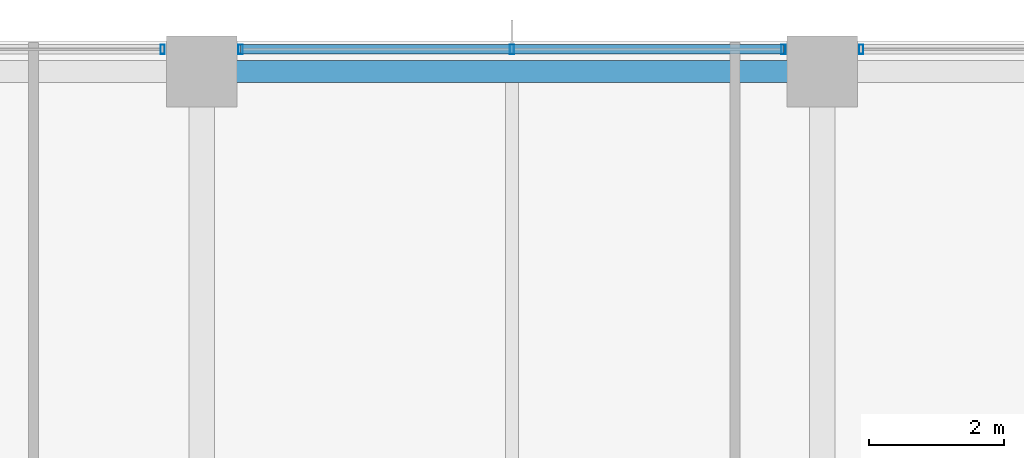
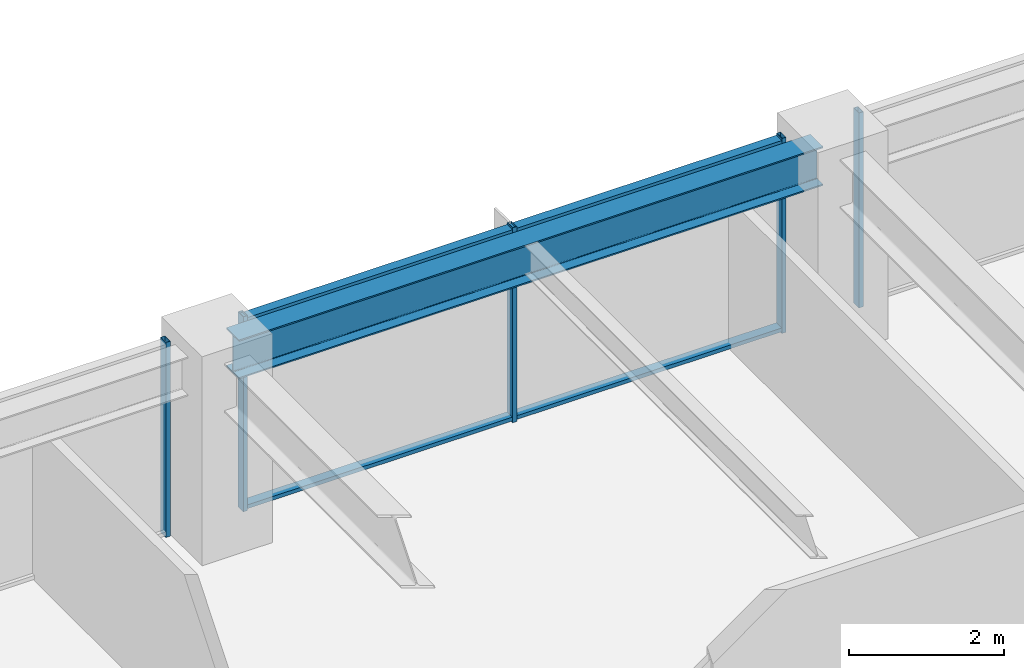
# One storey, part 20 of 38: 7 members, 1 beam, 3 elements without a shape of their own.
"""IFC4 building model written with IfcOpenShell, lengths in metres."""

import ifcopenshell
import ifcopenshell.guid

model = None  # the IFC model being written
_history = None  # IfcOwnerHistory: only IFC2X3 demands one
_inside = {}  # id of a spatial element -> (the spatial element, [elements in it])
_under = {}  # id of a project, library or spatial element -> (it, [spatial elements below it])
_declared = {}  # id of a project -> (the project, [libraries it declares])
_typed = {}  # id of a type object -> (the type object, [elements of that type])
_made_of = {}  # id of a material, layer set ... -> (it, [elements and type objects made of it])


def new_model(schema):
    """Start an empty IFC model of exactly this schema.

    Asked for "IFC4X3", IfcOpenShell would pick the latest addendum, in which some entities
    have other attributes; the version numbers below select the first issue.
    IFC2X3 requires an IfcOwnerHistory on every rooted entity: one is made here for all.
    """
    global model, _history
    if schema == "IFC4X3":
        model = ifcopenshell.file(schema_version=(4, 3, 0, 0))
    else:
        model = ifcopenshell.file(schema=schema)
    _inside.clear()
    _under.clear()
    _declared.clear()
    _typed.clear()
    _made_of.clear()
    _history = None
    if model.schema == "IFC2X3":
        org = make("IfcOrganization", Name="unknown")
        user = make(
            "IfcPersonAndOrganization",
            ThePerson=make("IfcPerson", FamilyName="unknown"),
            TheOrganization=org,
        )
        app = make(
            "IfcApplication",
            ApplicationDeveloper=org,
            Version="unknown",
            ApplicationFullName="unknown",
            ApplicationIdentifier="unknown",
        )
        _history = make(
            "IfcOwnerHistory",
            OwningUser=user,
            OwningApplication=app,
            ChangeAction="ADDED",
            CreationDate=0,
        )
    return model


def make(cls, **values):
    """One entity of the class cls with the attributes given. An attribute that is None is left unset."""
    return model.create_entity(
        cls, **{name: value for name, value in values.items() if value is not None}
    )


def rooted(cls, **values):
    """An entity with a GlobalId (a new one), such as an element, a storey or a relation."""
    return make(cls, GlobalId=ifcopenshell.guid.new(), OwnerHistory=_history, **values)


def si_unit(unit_type, name, prefix=None):
    """IfcSIUnit, for example si_unit("LENGTHUNIT", "METRE", prefix="MILLI")."""
    return make("IfcSIUnit", UnitType=unit_type, Prefix=prefix, Name=name)


def assignment(units):
    """IfcUnitAssignment: the units of a project."""
    return None if units is None else make("IfcUnitAssignment", Units=units)


def point(xyz):
    """IfcCartesianPoint."""
    return None if xyz is None else make("IfcCartesianPoint", Coordinates=xyz)


def direction(xyz):
    """IfcDirection."""
    return None if xyz is None else make("IfcDirection", DirectionRatios=xyz)


def frame(location, z_axis=None, x_axis=None):
    """IfcAxis2Placement3D, a coordinate frame: its origin and axes. An axis left out is left unset."""
    return make(
        "IfcAxis2Placement3D",
        Location=point(location),
        Axis=direction(z_axis),
        RefDirection=direction(x_axis),
    )


def frame_2d(location, x_axis=None):
    """IfcAxis2Placement2D, a coordinate frame in the plane: its origin and x axis."""
    return make(
        "IfcAxis2Placement2D", Location=point(location), RefDirection=direction(x_axis)
    )


def origin():
    """The frame at (0, 0, 0) with its axes left unset."""
    return frame((0.0, 0.0, 0.0))


def origin_2d():
    """The frame at (0, 0) in the plane with its x axis left unset."""
    return frame_2d((0.0, 0.0))


def place(relative_to, where):
    """IfcLocalPlacement: puts the frame where relative to a parent placement (None: the world)."""
    return make(
        "IfcLocalPlacement", PlacementRelTo=relative_to, RelativePlacement=where
    )


def context(
    kind, dimensions, precision=None, world=None, true_north=None, identifier=None
):
    """IfcGeometricRepresentationContext, for example the 3D "Model" context."""
    return make(
        "IfcGeometricRepresentationContext",
        ContextIdentifier=identifier,
        ContextType=kind,
        CoordinateSpaceDimension=dimensions,
        Precision=precision,
        WorldCoordinateSystem=world,
        TrueNorth=true_north,
    )


def subcontext(parent, identifier, kind, view, scale=None):
    """IfcGeometricRepresentationSubContext, for example "Body" below "Model"."""
    return make(
        "IfcGeometricRepresentationSubContext",
        ContextIdentifier=identifier,
        ContextType=kind,
        ParentContext=parent,
        TargetScale=scale,
        TargetView=view,
    )


def project(units=None, contexts=None):
    """IfcProject with its units and contexts."""
    return rooted(
        "IfcProject",
        Name="project",
        RepresentationContexts=contexts,
        UnitsInContext=assignment(units),
    )


def spatial(cls, under=None, at=None, **own):
    """A site, building, storey or space (cls), placed at a placement, below another one or the project."""
    s = rooted(cls, ObjectPlacement=at, **own)
    if under is not None:
        _under.setdefault(under.id(), (under, []))[1].append(s)
    return s


def profile(cls, at=None, kind="AREA", **sizes):
    """A parametric profile (cls). Its sizes go by their IFC names, for example OverallWidth=200.0."""
    return make(cls, ProfileType=kind, Position=at, **sizes)


def hollow_rectangle(**sizes):
    """IfcRectangleHollowProfileDef."""
    return profile("IfcRectangleHollowProfileDef", **sizes)


def i_section(**sizes):
    """IfcIShapeProfileDef."""
    return profile("IfcIShapeProfileDef", **sizes)


def extrude(swept, where, along, depth):
    """IfcExtrudedAreaSolid: the profile swept, set in the frame where, extruded along a direction by depth."""
    return make(
        "IfcExtrudedAreaSolid",
        SweptArea=swept,
        Position=where,
        ExtrudedDirection=direction(along),
        Depth=depth,
    )


def shape(context_of_items, identifier, shape_type, items):
    """IfcShapeRepresentation: the items that make up one representation, for example the "Body"."""
    return make(
        "IfcShapeRepresentation",
        ContextOfItems=context_of_items,
        RepresentationIdentifier=identifier,
        RepresentationType=shape_type,
        Items=items,
    )


def material(Name=None, Category=None):
    """IfcMaterial."""
    return make("IfcMaterial", Name=Name, Category=Category)


def material_profile(
    of_material, cross_section, Name=None, Category=None, Priority=None
):
    """IfcMaterialProfile: a cross section and its material."""
    return make(
        "IfcMaterialProfile",
        Name=Name,
        Material=of_material,
        Profile=cross_section,
        Priority=Priority,
        Category=Category,
    )


def profile_set(profiles, Name=None, composite=None):
    """IfcMaterialProfileSet."""
    return make(
        "IfcMaterialProfileSet",
        Name=Name,
        MaterialProfiles=profiles,
        CompositeProfile=composite,
    )


def made_of(thing, what):
    """Note that an element or type object is made of a material, layer set ...; save() writes the relation."""
    if what is not None:
        _made_of.setdefault(what.id(), (what, []))[1].append(thing)
    return thing


def type_object(cls, material=None, **own):
    """A type object (cls), such as IfcWallType, which elements share."""
    return made_of(rooted(cls, **own), material)


def element(
    cls,
    number,
    at=None,
    inside=None,
    cuts=None,
    type_object=None,
    material=None,
    context=None,
    identifier="Body",
    shape_type=None,
    held_by="IfcProductDefinitionShape",
    body=None,
    shapes=None,
    **own,
):
    """One element of the class cls, such as IfcWall. Its Tag is "e" and its number.

    at: its placement. inside: the storey or other place that contains it. cuts: it is an
    opening in that element (IfcRelVoidsElement). A single representation is given by context,
    identifier, shape_type and body (its items); several are given by shapes. held_by: the class
    of the entity that holds the representations. save() writes the other relations.
    """
    e = rooted(cls, Tag="e%d" % number, ObjectPlacement=at, **own)
    if body is not None:
        shapes = [shape(context, identifier, shape_type, body)]
    if shapes is not None:
        e.Representation = make(held_by, Representations=shapes)
    if inside is not None:
        _inside.setdefault(inside.id(), (inside, []))[1].append(e)
    if cuts is not None:
        rooted(
            "IfcRelVoidsElement", RelatingBuildingElement=cuts, RelatedOpeningElement=e
        )
    if type_object is not None:
        _typed.setdefault(type_object.id(), (type_object, []))[1].append(e)
    return made_of(e, material)


def aggregate(whole, parts):
    """IfcRelAggregates: a whole, such as a stair, and the parts it consists of."""
    return rooted("IfcRelAggregates", RelatingObject=whole, RelatedObjects=parts)


def save(model, path):
    """Write the relations noted so far, then the file.

    IfcRelAggregates (storeys below a building ...), IfcRelContainedInSpatialStructure (elements
    in a storey), IfcRelDefinesByType, IfcRelAssociatesMaterial and IfcRelDeclares: one each for
    every whole, place, type object, material and project.
    """
    for whole, parts in _under.values():
        aggregate(whole, parts)
    for where, things in _inside.values():
        rooted(
            "IfcRelContainedInSpatialStructure",
            RelatedElements=things,
            RelatingStructure=where,
        )
    for kind, things in _typed.values():
        rooted("IfcRelDefinesByType", RelatedObjects=things, RelatingType=kind)
    for what, things in _made_of.values():
        rooted("IfcRelAssociatesMaterial", RelatedObjects=things, RelatingMaterial=what)
    for by, libraries in _declared.values():
        rooted("IfcRelDeclares", RelatingContext=by, RelatedDefinitions=libraries)
    model.write(path)


model = new_model("IFC4")

# Units and contexts
model_context = context("Model", 3, precision=1e-05, world=origin(), true_north=direction((0.0, 1.0)))
body_context = subcontext(model_context, "Body", "Model", "MODEL_VIEW")
ifc_project = project(units=[si_unit("LENGTHUNIT", "METRE"), si_unit("AREAUNIT", "SQUARE_METRE"), si_unit("VOLUMEUNIT", "CUBIC_METRE"), si_unit("PLANEANGLEUNIT", "RADIAN"), si_unit("MASSUNIT", "GRAM", prefix="KILO")], contexts=[model_context])

# Site, building, storey
site_placement = place(None, origin())
site = spatial("IfcSite", under=ifc_project, at=site_placement, CompositionType="ELEMENT")
building_placement = place(site_placement, origin())
building = spatial("IfcBuilding", under=site, at=building_placement, Name="Kolvaren Belvedere", CompositionType="ELEMENT")
storey_placement = place(building_placement, frame((0.0, 0.0, 101.89990234375)))
storey = spatial("IfcBuildingStorey", under=building, at=storey_placement, Name="L29", CompositionType="ELEMENT", Elevation=101.89990234375)

# Beam
ifc_material_1 = material(Name="Structural steel ASTM A992 Grade 50", Category="steel")
ifc_material_profile_1 = material_profile(ifc_material_1, i_section(OverallWidth=0.324951171875, OverallDepth=0.615966796875, WebThickness=0.013916015625, FlangeThickness=0.021484375, FilletRadius=0.02001953125, at=origin_2d()), Name="W24X117")
ifc_profile_set_1 = profile_set([ifc_material_profile_1], Name="Structural steel ASTM A992 Grade 50")
beam_type = type_object("IfcBeamType", Name="BM-SPAN-W24X117", PredefinedType="SPANDREL", material=ifc_profile_set_1)
beam_placement = place(storey_placement, frame((4.36376953125, 19.949951171875, 2.772216796875), z_axis=(-1.0, 0.0, 0.0), x_axis=(0.0, -1.0, 0.0)))
element("IfcBeam", 1, at=beam_placement, inside=storey, type_object=beam_type, Name="L29 Perimeter Spandrel N3-N2", PredefinedType="SPANDREL", context=body_context, shape_type="SweptSolid", body=[
    extrude(i_section(OverallWidth=0.324951171875, OverallDepth=0.615966796875, WebThickness=0.013916015625, FlangeThickness=0.021484375, FilletRadius=0.02001953125, at=origin_2d()), origin(), (0.0, 0.0, 1.0), 8.7275390625),
])

# Curtain wall, member
ifc_material_2 = material(Name="Anodised pale-metal aluminium AA 6063-T6", Category="aluminium")
curtain_wall_type = type_object("IfcCurtainWallType", Name="CW-Z2-MID", PredefinedType="NOTDEFINED", material=ifc_material_2)
curtain_wall_1_placement = place(storey_placement, origin())
curtain_wall_1 = element("IfcCurtainWall", 2, at=curtain_wall_1_placement, inside=storey, type_object=curtain_wall_type, Name="L29 Unitised Curtain Wall FCW-L29-N-B1", PredefinedType="NOTDEFINED")
ifc_material_3 = material(Name="Anodised pale-metal aluminium AA 6063-T6", Category="aluminium")
ifc_material_profile_2 = material_profile(ifc_material_3, hollow_rectangle(XDim=0.06494140625, YDim=0.139892578125, WallThickness=0.00390625, at=origin_2d()), Name="ALU-MUL-140X65")
ifc_profile_set_2 = profile_set([ifc_material_profile_2], Name="Anodised pale-metal aluminium AA 6063-T6")
member_type_1 = type_object("IfcMemberType", Name="CW-MUL-140", PredefinedType="MULLION", material=ifc_profile_set_2)
member_1_placement = place(storey_placement, frame((-5.177490234375, 20.280029296875, 0.0), z_axis=(0.0, 0.0, 1.0), x_axis=(1.0, 0.0, 0.0)))
member_1 = element("IfcMember", 3, at=member_1_placement, type_object=member_type_1, Name="FCW-L29-N-B1 Unitised Mullion 3", PredefinedType="MULLION", context=body_context, shape_type="SweptSolid", body=[
    extrude(hollow_rectangle(XDim=0.06494140625, YDim=0.139892578125, WallThickness=0.00390625, at=origin_2d()), origin(), (0.0, 0.0, 1.0), 3.080078125),
])
aggregate(curtain_wall_1, [member_1])

# Curtain wall, members
curtain_wall_2_placement = place(storey_placement, origin())
curtain_wall_2 = element("IfcCurtainWall", 4, at=curtain_wall_2_placement, inside=storey, type_object=curtain_wall_type, Name="L29 Unitised Curtain Wall FCW-L29-N-B2", PredefinedType="NOTDEFINED")
member_2_placement = place(storey_placement, frame((-4.0224609375, 20.280029296875, 0.0), z_axis=(0.0, 0.0, 1.0), x_axis=(1.0, 0.0, 0.0)))
member_2 = element("IfcMember", 5, at=member_2_placement, type_object=member_type_1, Name="FCW-L29-N-B2 Unitised Mullion 1", PredefinedType="MULLION", context=body_context, shape_type="SweptSolid", body=[
    extrude(hollow_rectangle(XDim=0.06494140625, YDim=0.139892578125, WallThickness=0.00390625, at=origin_2d()), origin(), (0.0, 0.0, 1.0), 3.080078125),
])
member_3_placement = place(storey_placement, frame((0.0, 20.280029296875, 0.0), z_axis=(0.0, 0.0, 1.0), x_axis=(1.0, 0.0, 0.0)))
member_3 = element("IfcMember", 6, at=member_3_placement, type_object=member_type_1, Name="FCW-L29-N-B2 Unitised Mullion 2", PredefinedType="MULLION", context=body_context, shape_type="SweptSolid", body=[
    extrude(hollow_rectangle(XDim=0.06494140625, YDim=0.139892578125, WallThickness=0.00390625, at=origin_2d()), origin(), (0.0, 0.0, 1.0), 3.080078125),
])
member_4_placement = place(storey_placement, frame((4.0224609375, 20.280029296875, 0.0), z_axis=(0.0, 0.0, 1.0), x_axis=(1.0, 0.0, 0.0)))
member_4 = element("IfcMember", 7, at=member_4_placement, type_object=member_type_1, Name="FCW-L29-N-B2 Unitised Mullion 3", PredefinedType="MULLION", context=body_context, shape_type="SweptSolid", body=[
    extrude(hollow_rectangle(XDim=0.06494140625, YDim=0.139892578125, WallThickness=0.00390625, at=origin_2d()), origin(), (0.0, 0.0, 1.0), 3.080078125),
])

# Curtain wall, member
curtain_wall_3_placement = place(storey_placement, origin())
curtain_wall_3 = element("IfcCurtainWall", 8, at=curtain_wall_3_placement, inside=storey, type_object=curtain_wall_type, Name="L29 Unitised Curtain Wall FCW-L29-N-B3", PredefinedType="NOTDEFINED")
member_5_placement = place(storey_placement, frame((5.177490234375, 20.280029296875, 0.0), z_axis=(0.0, 0.0, 1.0), x_axis=(1.0, 0.0, 0.0)))
member_5 = element("IfcMember", 9, at=member_5_placement, type_object=member_type_1, Name="FCW-L29-N-B3 Unitised Mullion 1", PredefinedType="MULLION", context=body_context, shape_type="SweptSolid", body=[
    extrude(hollow_rectangle(XDim=0.06494140625, YDim=0.139892578125, WallThickness=0.00390625, at=origin_2d()), origin(), (0.0, 0.0, 1.0), 3.080078125),
])
aggregate(curtain_wall_3, [member_5])

# Member
ifc_material_4 = material(Name="Anodised pale-metal aluminium AA 6063-T6", Category="aluminium")
ifc_material_profile_3 = material_profile(ifc_material_4, hollow_rectangle(XDim=0.06005859375, YDim=0.139892578125, WallThickness=0.00390625, at=origin_2d()), Name="ALU-TRN-140X60")
ifc_profile_set_3 = profile_set([ifc_material_profile_3], Name="Anodised pale-metal aluminium AA 6063-T6")
member_type_2 = type_object("IfcMemberType", Name="CW-TRN-140", PredefinedType="USERDEFINED", material=ifc_profile_set_3)
member_6_placement = place(storey_placement, frame((-4.0224609375, 20.280029296875, 0.06005859375), z_axis=(1.0, 0.0, 0.0), x_axis=(0.0, 0.0, 1.0)))
member_6 = element("IfcMember", 10, at=member_6_placement, type_object=member_type_2, Name="FCW-L29-N-B2 Sill Transom", ObjectType="TRANSOM", PredefinedType="USERDEFINED", context=body_context, shape_type="SweptSolid", body=[
    extrude(hollow_rectangle(XDim=0.06005859375, YDim=0.139892578125, WallThickness=0.00390625, at=origin_2d()), origin(), (0.0, 0.0, 1.0), 8.044921875),
])

member_7_placement = place(storey_placement, frame((-4.0224609375, 20.280029296875, 3.02001953125), z_axis=(1.0, 0.0, 0.0), x_axis=(0.0, 0.0, 1.0)))
member_7 = element("IfcMember", 11, at=member_7_placement, type_object=member_type_2, Name="FCW-L29-N-B2 Head Transom", ObjectType="TRANSOM", PredefinedType="USERDEFINED", context=body_context, shape_type="SweptSolid", body=[
    extrude(hollow_rectangle(XDim=0.06005859375, YDim=0.139892578125, WallThickness=0.00390625, at=origin_2d()), origin(), (0.0, 0.0, 1.0), 8.044921875),
])

aggregate(curtain_wall_2, [member_2, member_3, member_4, member_6, member_7])

save(model, "model.ifc")
